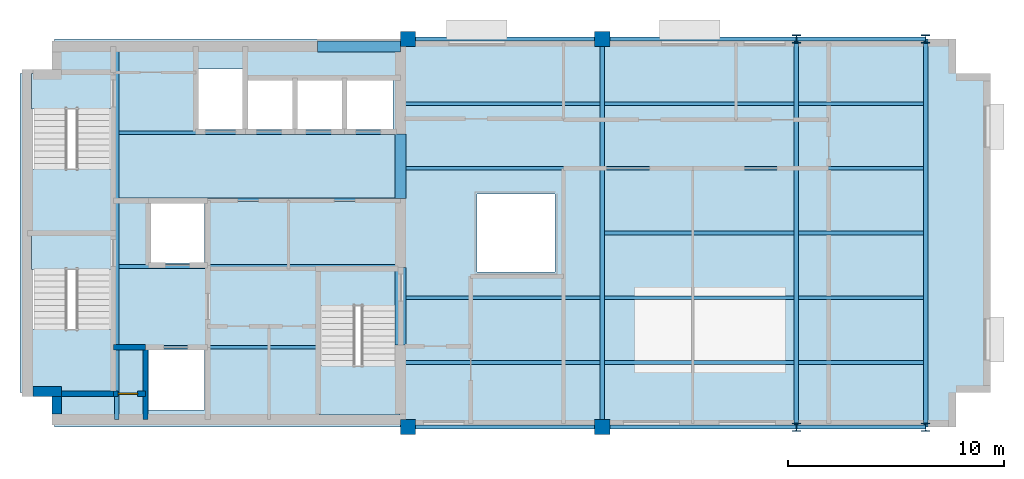
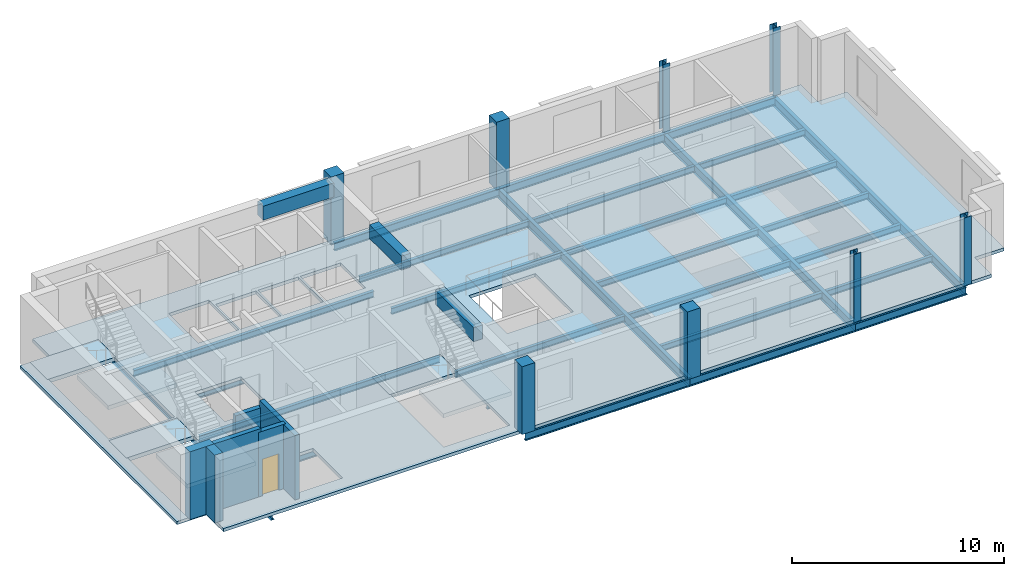
# One storey, part 1 of 5: 31 beams, 8 columns, 7 slabs, 6 walls, 1 door, 1 opening, 3 elements without a shape of their own.
"""IFC4 building model written with IfcOpenShell, lengths in metres."""

from ifc_helpers import new_model, si_unit, direction, frame, frame_2d, origin, origin_2d, place, context, subcontext, project, spatial, polyline, rectangle, i_section, outline, extrude, material, layer, layer_set, material_profile, profile_set, type_object, element, fill, aggregate, save


model = new_model("IFC4")

# Units and contexts
model_context = context("Model", 3, precision=1e-05, world=origin(), true_north=direction((0.0, 1.0)))
body_context = subcontext(model_context, "Body", "Model", "MODEL_VIEW")
ifc_project = project(units=[si_unit("LENGTHUNIT", "METRE"), si_unit("AREAUNIT", "SQUARE_METRE"), si_unit("VOLUMEUNIT", "CUBIC_METRE"), si_unit("PLANEANGLEUNIT", "RADIAN"), si_unit("MASSUNIT", "GRAM", prefix="KILO")], contexts=[model_context])

# Site, building, storey
site_placement = place(None, origin())
site = spatial("IfcSite", under=ifc_project, at=site_placement, CompositionType="ELEMENT")
building_placement = place(site_placement, origin())
building = spatial("IfcBuilding", under=site, at=building_placement, Name="Mawjdan Bourse Tower", CompositionType="ELEMENT")
storey_placement = place(building_placement, frame((0.0, 0.0, 301.5)))
storey = spatial("IfcBuildingStorey", under=building, at=storey_placement, Name="L74", CompositionType="ELEMENT", Elevation=301.5)

# Columns
ifc_material_1 = material(Name="Concrete C60/75", Category="concrete")
ifc_material_profile_1 = material_profile(ifc_material_1, rectangle(XDim=0.699951171875, YDim=0.699951171875, at=origin_2d()), Name="RC700X700")
ifc_profile_set_1 = profile_set([ifc_material_profile_1], Name="Concrete C60/75")
column_type_1 = type_object("IfcColumnType", Name="COL-RC700X700", PredefinedType="COLUMN", material=ifc_profile_set_1)
for number, where, z_axis, x_axis, name in (
    (1, (24.0, 3.0, 0.0), (0.0, 0.0, 1.0), (1.0, 0.0, 0.0), "L74 Structural Column C-X240-Y30"),
    (2, (24.0, 21.0, 0.0), (0.0, 0.0, 1.0), (1.0, 0.0, 0.0), "L74 Structural Column C-X240-Y210"),
    (3, (33.0, 3.0, 0.0), (0.0, 0.0, 1.0), (1.0, 0.0, 0.0), "L74 Structural Column C-X330-Y30"),
    (4, (33.0, 21.0, 0.0), (0.0, 0.0, 1.0), (1.0, 0.0, 0.0), "L74 Structural Column C-X330-Y210"),
):
    element("IfcColumn", number, at=place(storey_placement, frame(where, z_axis=z_axis, x_axis=x_axis)), inside=storey, type_object=column_type_1, Name=name, PredefinedType="COLUMN", context=body_context, shape_type="SweptSolid", body=[
        extrude(rectangle(XDim=0.699951171875, YDim=0.699951171875, at=origin_2d()), origin(), (0.0, 0.0, 1.0), 3.89990234375),
    ])
ifc_material_2 = material(Name="Structural Steel S355", Category="steel")
ifc_material_profile_2 = material_profile(ifc_material_2, i_section(OverallWidth=0.39404296875, OverallDepth=0.375, WebThickness=0.017333984375, FlangeThickness=0.027587890625, FilletRadius=0.022216796875, at=origin_2d()), Name="W14X145")
ifc_profile_set_2 = profile_set([ifc_material_profile_2], Name="Structural Steel S355")
column_type_2 = type_object("IfcColumnType", Name="COL-W14X145", PredefinedType="COLUMN", material=ifc_profile_set_2)
for number, where, z_axis, x_axis, name in (
    (5, (42.0, 3.0, 0.0), (0.0, 0.0, 1.0), (1.0, 0.0, 0.0), "L74 Structural Column C-X420-Y30"),
    (6, (42.0, 21.0, 0.0), (0.0, 0.0, 1.0), (1.0, 0.0, 0.0), "L74 Structural Column C-X420-Y210"),
    (7, (48.0, 3.0, 0.0), (0.0, 0.0, 1.0), (1.0, 0.0, 0.0), "L74 Structural Column C-X480-Y30"),
    (8, (48.0, 21.0, 0.0), (0.0, 0.0, 1.0), (1.0, 0.0, 0.0), "L74 Structural Column C-X480-Y210"),
):
    element("IfcColumn", number, at=place(storey_placement, frame(where, z_axis=z_axis, x_axis=x_axis)), inside=storey, type_object=column_type_2, Name=name, PredefinedType="COLUMN", context=body_context, shape_type="SweptSolid", body=[
        extrude(i_section(OverallWidth=0.39404296875, OverallDepth=0.375, WebThickness=0.017333984375, FlangeThickness=0.027587890625, FilletRadius=0.022216796875, at=origin_2d()), origin(), (0.0, 0.0, 1.0), 3.89990234375),
    ])

# Beams
ifc_material_profile_3 = material_profile(ifc_material_2, i_section(OverallWidth=0.2099609375, OverallDepth=0.537109375, WebThickness=0.010986328125, FlangeThickness=0.017333984375, FilletRadius=0.013916015625, at=origin_2d()), Name="W21X68")
ifc_profile_set_3 = profile_set([ifc_material_profile_3], Name="Structural Steel S355")
beam_type_1 = type_object("IfcBeamType", Name="GRD-W21X68", PredefinedType="BEAM", material=ifc_profile_set_3)
beam_1_placement = place(storey_placement, frame((10.47998046875, 3.35009765625, -0.45361328125), z_axis=(0.0, 1.0, 0.0), x_axis=(-1.0, 0.0, 0.0)))
element("IfcBeam", 9, at=beam_1_placement, inside=storey, type_object=beam_type_1, Name="L74 Core Stair Trimmer Girder 001", PredefinedType="BEAM", context=body_context, shape_type="SweptSolid", body=[
    extrude(i_section(OverallWidth=0.2099609375, OverallDepth=0.537109375, WebThickness=0.010986328125, FlangeThickness=0.017333984375, FilletRadius=0.013916015625, at=origin_2d()), origin(), (0.0, 0.0, 1.0), 17.2998046875),
])
for number, where, z_axis, x_axis, name in (
    (10, (33.0, 3.0, -0.45361328125), (0.0, 1.0, 0.0), (-1.0, 0.0, 0.0), "L74 East Wing Clear-Span Girder 002"),
    (11, (42.0, 3.0, -0.45361328125), (0.0, 1.0, 0.0), (-1.0, 0.0, 0.0), "L74 East Wing Clear-Span Girder 003"),
    (12, (48.0, 3.0, -0.45361328125), (0.0, 1.0, 0.0), (-1.0, 0.0, 0.0), "L74 East Wing Clear-Span Girder 004"),
):
    element("IfcBeam", number, at=place(storey_placement, frame(where, z_axis=z_axis, x_axis=x_axis)), inside=storey, type_object=beam_type_1, Name=name, PredefinedType="BEAM", context=body_context, shape_type="SweptSolid", body=[
        extrude(i_section(OverallWidth=0.2099609375, OverallDepth=0.537109375, WebThickness=0.010986328125, FlangeThickness=0.017333984375, FilletRadius=0.013916015625, at=origin_2d()), origin(), (0.0, 0.0, 1.0), 18.0),
    ])
ifc_material_profile_4 = material_profile(ifc_material_2, i_section(OverallWidth=0.1708984375, OverallDepth=0.35107421875, WebThickness=0.0068359375, FlangeThickness=0.009765625, FilletRadius=0.0078125, at=origin_2d()), Name="W14X30")
ifc_profile_set_4 = profile_set([ifc_material_profile_4], Name="Structural Steel S355")
beam_type_2 = type_object("IfcBeamType", Name="JST-W14X30", PredefinedType="JOIST", material=ifc_profile_set_4)
beam_2_placement = place(storey_placement, frame((23.64990234375, 6.0, -0.360595703125), z_axis=(1.0, 0.0, 0.0), x_axis=(0.0, 1.0, 0.0)))
element("IfcBeam", 13, at=beam_2_placement, inside=storey, type_object=beam_type_2, Name="L74 East Wing Composite Joist 011", PredefinedType="JOIST", context=body_context, shape_type="SweptSolid", body=[
    extrude(i_section(OverallWidth=0.1708984375, OverallDepth=0.35107421875, WebThickness=0.0068359375, FlangeThickness=0.009765625, FilletRadius=0.0078125, at=origin_2d()), origin(), (0.0, 0.0, 1.0), 9.2470703125),
])
beam_3_placement = place(storey_placement, frame((33.10302734375, 6.0, -0.360595703125), z_axis=(1.0, 0.0, 0.0), x_axis=(0.0, 1.0, 0.0)))
element("IfcBeam", 14, at=beam_3_placement, inside=storey, type_object=beam_type_2, Name="L74 East Wing Composite Joist 012", PredefinedType="JOIST", context=body_context, shape_type="SweptSolid", body=[
    extrude(i_section(OverallWidth=0.1708984375, OverallDepth=0.35107421875, WebThickness=0.0068359375, FlangeThickness=0.009765625, FilletRadius=0.0078125, at=origin_2d()), origin(), (0.0, 0.0, 1.0), 8.7939453125),
])
beam_4_placement = place(storey_placement, frame((42.10302734375, 6.0, -0.360595703125), z_axis=(1.0, 0.0, 0.0), x_axis=(0.0, 1.0, 0.0)))
element("IfcBeam", 15, at=beam_4_placement, inside=storey, type_object=beam_type_2, Name="L74 East Wing Composite Joist 013", PredefinedType="JOIST", context=body_context, shape_type="SweptSolid", body=[
    extrude(i_section(OverallWidth=0.1708984375, OverallDepth=0.35107421875, WebThickness=0.0068359375, FlangeThickness=0.009765625, FilletRadius=0.0078125, at=origin_2d()), origin(), (0.0, 0.0, 1.0), 5.7939453125),
])
beam_5_placement = place(storey_placement, frame((23.64990234375, 9.0, -0.360595703125), z_axis=(1.0, 0.0, 0.0), x_axis=(0.0, 1.0, 0.0)))
element("IfcBeam", 16, at=beam_5_placement, inside=storey, type_object=beam_type_2, Name="L74 East Wing Composite Joist 014", PredefinedType="JOIST", context=body_context, shape_type="SweptSolid", body=[
    extrude(i_section(OverallWidth=0.1708984375, OverallDepth=0.35107421875, WebThickness=0.0068359375, FlangeThickness=0.009765625, FilletRadius=0.0078125, at=origin_2d()), origin(), (0.0, 0.0, 1.0), 9.2470703125),
])
beam_6_placement = place(storey_placement, frame((33.10302734375, 9.0, -0.360595703125), z_axis=(1.0, 0.0, 0.0), x_axis=(0.0, 1.0, 0.0)))
element("IfcBeam", 17, at=beam_6_placement, inside=storey, type_object=beam_type_2, Name="L74 East Wing Composite Joist 015", PredefinedType="JOIST", context=body_context, shape_type="SweptSolid", body=[
    extrude(i_section(OverallWidth=0.1708984375, OverallDepth=0.35107421875, WebThickness=0.0068359375, FlangeThickness=0.009765625, FilletRadius=0.0078125, at=origin_2d()), origin(), (0.0, 0.0, 1.0), 8.7939453125),
])
beam_7_placement = place(storey_placement, frame((42.10302734375, 9.0, -0.360595703125), z_axis=(1.0, 0.0, 0.0), x_axis=(0.0, 1.0, 0.0)))
element("IfcBeam", 18, at=beam_7_placement, inside=storey, type_object=beam_type_2, Name="L74 East Wing Composite Joist 016", PredefinedType="JOIST", context=body_context, shape_type="SweptSolid", body=[
    extrude(i_section(OverallWidth=0.1708984375, OverallDepth=0.35107421875, WebThickness=0.0068359375, FlangeThickness=0.009765625, FilletRadius=0.0078125, at=origin_2d()), origin(), (0.0, 0.0, 1.0), 5.7939453125),
])
beam_8_placement = place(storey_placement, frame((33.10302734375, 12.0, -0.360595703125), z_axis=(1.0, 0.0, 0.0), x_axis=(0.0, 1.0, 0.0)))
element("IfcBeam", 19, at=beam_8_placement, inside=storey, type_object=beam_type_2, Name="L74 East Wing Composite Joist 017", PredefinedType="JOIST", context=body_context, shape_type="SweptSolid", body=[
    extrude(i_section(OverallWidth=0.1708984375, OverallDepth=0.35107421875, WebThickness=0.0068359375, FlangeThickness=0.009765625, FilletRadius=0.0078125, at=origin_2d()), origin(), (0.0, 0.0, 1.0), 8.7939453125),
])
beam_9_placement = place(storey_placement, frame((42.10302734375, 12.0, -0.360595703125), z_axis=(1.0, 0.0, 0.0), x_axis=(0.0, 1.0, 0.0)))
element("IfcBeam", 20, at=beam_9_placement, inside=storey, type_object=beam_type_2, Name="L74 East Wing Composite Joist 018", PredefinedType="JOIST", context=body_context, shape_type="SweptSolid", body=[
    extrude(i_section(OverallWidth=0.1708984375, OverallDepth=0.35107421875, WebThickness=0.0068359375, FlangeThickness=0.009765625, FilletRadius=0.0078125, at=origin_2d()), origin(), (0.0, 0.0, 1.0), 5.7939453125),
])
beam_10_placement = place(storey_placement, frame((23.64990234375, 15.0, -0.360595703125), z_axis=(1.0, 0.0, 0.0), x_axis=(0.0, 1.0, 0.0)))
element("IfcBeam", 21, at=beam_10_placement, inside=storey, type_object=beam_type_2, Name="L74 East Wing Composite Joist 019", PredefinedType="JOIST", context=body_context, shape_type="SweptSolid", body=[
    extrude(i_section(OverallWidth=0.1708984375, OverallDepth=0.35107421875, WebThickness=0.0068359375, FlangeThickness=0.009765625, FilletRadius=0.0078125, at=origin_2d()), origin(), (0.0, 0.0, 1.0), 9.2470703125),
])
beam_11_placement = place(storey_placement, frame((33.10302734375, 15.0, -0.360595703125), z_axis=(1.0, 0.0, 0.0), x_axis=(0.0, 1.0, 0.0)))
element("IfcBeam", 22, at=beam_11_placement, inside=storey, type_object=beam_type_2, Name="L74 East Wing Composite Joist 020", PredefinedType="JOIST", context=body_context, shape_type="SweptSolid", body=[
    extrude(i_section(OverallWidth=0.1708984375, OverallDepth=0.35107421875, WebThickness=0.0068359375, FlangeThickness=0.009765625, FilletRadius=0.0078125, at=origin_2d()), origin(), (0.0, 0.0, 1.0), 8.7939453125),
])
beam_12_placement = place(storey_placement, frame((42.10302734375, 15.0, -0.360595703125), z_axis=(1.0, 0.0, 0.0), x_axis=(0.0, 1.0, 0.0)))
element("IfcBeam", 23, at=beam_12_placement, inside=storey, type_object=beam_type_2, Name="L74 East Wing Composite Joist 021", PredefinedType="JOIST", context=body_context, shape_type="SweptSolid", body=[
    extrude(i_section(OverallWidth=0.1708984375, OverallDepth=0.35107421875, WebThickness=0.0068359375, FlangeThickness=0.009765625, FilletRadius=0.0078125, at=origin_2d()), origin(), (0.0, 0.0, 1.0), 5.7939453125),
])
beam_13_placement = place(storey_placement, frame((23.64990234375, 18.0, -0.360595703125), z_axis=(1.0, 0.0, 0.0), x_axis=(0.0, 1.0, 0.0)))
element("IfcBeam", 24, at=beam_13_placement, inside=storey, type_object=beam_type_2, Name="L74 East Wing Composite Joist 022", PredefinedType="JOIST", context=body_context, shape_type="SweptSolid", body=[
    extrude(i_section(OverallWidth=0.1708984375, OverallDepth=0.35107421875, WebThickness=0.0068359375, FlangeThickness=0.009765625, FilletRadius=0.0078125, at=origin_2d()), origin(), (0.0, 0.0, 1.0), 9.2470703125),
])
beam_14_placement = place(storey_placement, frame((33.10302734375, 18.0, -0.360595703125), z_axis=(1.0, 0.0, 0.0), x_axis=(0.0, 1.0, 0.0)))
element("IfcBeam", 25, at=beam_14_placement, inside=storey, type_object=beam_type_2, Name="L74 East Wing Composite Joist 023", PredefinedType="JOIST", context=body_context, shape_type="SweptSolid", body=[
    extrude(i_section(OverallWidth=0.1708984375, OverallDepth=0.35107421875, WebThickness=0.0068359375, FlangeThickness=0.009765625, FilletRadius=0.0078125, at=origin_2d()), origin(), (0.0, 0.0, 1.0), 8.7939453125),
])
beam_15_placement = place(storey_placement, frame((42.10302734375, 18.0, -0.360595703125), z_axis=(1.0, 0.0, 0.0), x_axis=(0.0, 1.0, 0.0)))
element("IfcBeam", 26, at=beam_15_placement, inside=storey, type_object=beam_type_2, Name="L74 East Wing Composite Joist 024", PredefinedType="JOIST", context=body_context, shape_type="SweptSolid", body=[
    extrude(i_section(OverallWidth=0.1708984375, OverallDepth=0.35107421875, WebThickness=0.0068359375, FlangeThickness=0.009765625, FilletRadius=0.0078125, at=origin_2d()), origin(), (0.0, 0.0, 1.0), 5.7939453125),
])
beam_16_placement = place(storey_placement, frame((10.5830078125, 6.699951171875, -0.360595703125), z_axis=(1.0, 0.0, 0.0), x_axis=(0.0, 1.0, 0.0)))
element("IfcBeam", 27, at=beam_16_placement, inside=storey, type_object=beam_type_2, Name="L74 Core Floor Joist 025", PredefinedType="JOIST", context=body_context, shape_type="SweptSolid", body=[
    extrude(i_section(OverallWidth=0.1708984375, OverallDepth=0.35107421875, WebThickness=0.0068359375, FlangeThickness=0.009765625, FilletRadius=0.0078125, at=origin_2d()), origin(), (0.0, 0.0, 1.0), 9.2470703125),
])
for number, where, z_axis, x_axis, name in (
    (28, (10.5830078125, 10.449951171875, -0.360595703125), (1.0, 0.0, 0.0), (0.0, 1.0, 0.0), "L74 Core Floor Joist 026"),
    (29, (10.5830078125, 13.550048828125, -0.360595703125), (1.0, 0.0, 0.0), (0.0, 1.0, 0.0), "L74 Core Floor Joist 027"),
    (30, (10.5830078125, 16.64990234375, -0.360595703125), (1.0, 0.0, 0.0), (0.0, 1.0, 0.0), "L74 Core Floor Joist 028"),
):
    element("IfcBeam", number, at=place(storey_placement, frame(where, z_axis=z_axis, x_axis=x_axis)), inside=storey, type_object=beam_type_2, Name=name, PredefinedType="JOIST", context=body_context, shape_type="SweptSolid", body=[
        extrude(i_section(OverallWidth=0.1708984375, OverallDepth=0.35107421875, WebThickness=0.0068359375, FlangeThickness=0.009765625, FilletRadius=0.0078125, at=origin_2d()), origin(), (0.0, 0.0, 1.0), 13.06689453125),
    ])
ifc_material_3 = material(Name="Concrete C70/85", Category="concrete")
ifc_material_profile_5 = material_profile(ifc_material_3, rectangle(XDim=0.5, YDim=0.800048828125, at=origin_2d()), Name="RCB500X800")
ifc_profile_set_5 = profile_set([ifc_material_profile_5], Name="Concrete C70/85")
beam_type_3 = type_object("IfcBeamType", Name="LNT-RCB500X800", PredefinedType="LINTEL", material=ifc_profile_set_5)
beam_17_placement = place(storey_placement, frame((23.64990234375, 6.800048828125, 3.31494140625), z_axis=(0.0, 1.0, 0.0), x_axis=(-1.0, 0.0, 0.0)))
element("IfcBeam", 31, at=beam_17_placement, inside=storey, type_object=beam_type_3, Name="L74 Coupled Core Lintel CB-E1", PredefinedType="LINTEL", context=body_context, shape_type="SweptSolid", body=[
    extrude(rectangle(XDim=0.5, YDim=0.800048828125, at=origin_2d()), origin(), (0.0, 0.0, 1.0), 3.599853515625),
])
beam_18_placement = place(storey_placement, frame((23.64990234375, 13.60009765625, 3.31494140625), z_axis=(0.0, 1.0, 0.0), x_axis=(-1.0, 0.0, 0.0)))
element("IfcBeam", 32, at=beam_18_placement, inside=storey, type_object=beam_type_3, Name="L74 Coupled Core Lintel CB-E2", PredefinedType="LINTEL", context=body_context, shape_type="SweptSolid", body=[
    extrude(rectangle(XDim=0.5, YDim=0.800048828125, at=origin_2d()), origin(), (0.0, 0.0, 1.0), 3.0),
])
beam_19_placement = place(storey_placement, frame((19.800048828125, 20.64990234375, 3.31494140625), z_axis=(1.0, 0.0, 0.0), x_axis=(0.0, 1.0, 0.0)))
element("IfcBeam", 33, at=beam_19_placement, inside=storey, type_object=beam_type_3, Name="L74 Coupled Core Lintel CB-N1", PredefinedType="LINTEL", context=body_context, shape_type="SweptSolid", body=[
    extrude(rectangle(XDim=0.5, YDim=0.800048828125, at=origin_2d()), origin(), (0.0, 0.0, 1.0), 3.849853515625),
])
ifc_material_profile_6 = material_profile(ifc_material_2, i_section(OverallWidth=0.18994140625, OverallDepth=0.45703125, WebThickness=0.009033203125, FlangeThickness=0.014404296875, FilletRadius=0.01171875, at=origin_2d()), Name="W18X50")
ifc_profile_set_6 = profile_set([ifc_material_profile_6], Name="Structural Steel S355")
beam_type_4 = type_object("IfcBeamType", Name="SPN-W18X50", PredefinedType="SPANDREL", material=ifc_profile_set_6)
for number, where, z_axis, x_axis, name in (
    (34, (24.0, 3.0, -0.41357421875), (1.0, 0.0, 0.0), (0.0, 1.0, 0.0), "L74 Perimeter Masonry-Shelf Spandrel 005"),
    (35, (33.0, 3.0, -0.41357421875), (1.0, 0.0, 0.0), (0.0, 1.0, 0.0), "L74 Perimeter Masonry-Shelf Spandrel 006"),
):
    element("IfcBeam", number, at=place(storey_placement, frame(where, z_axis=z_axis, x_axis=x_axis)), inside=storey, type_object=beam_type_4, Name=name, PredefinedType="SPANDREL", context=body_context, shape_type="SweptSolid", body=[
        extrude(i_section(OverallWidth=0.18994140625, OverallDepth=0.45703125, WebThickness=0.009033203125, FlangeThickness=0.014404296875, FilletRadius=0.01171875, at=origin_2d()), origin(), (0.0, 0.0, 1.0), 9.0),
    ])
beam_20_placement = place(storey_placement, frame((42.0, 3.0, -0.41357421875), z_axis=(1.0, 0.0, 0.0), x_axis=(0.0, 1.0, 0.0)))
element("IfcBeam", 36, at=beam_20_placement, inside=storey, type_object=beam_type_4, Name="L74 Perimeter Masonry-Shelf Spandrel 007", PredefinedType="SPANDREL", context=body_context, shape_type="SweptSolid", body=[
    extrude(i_section(OverallWidth=0.18994140625, OverallDepth=0.45703125, WebThickness=0.009033203125, FlangeThickness=0.014404296875, FilletRadius=0.01171875, at=origin_2d()), origin(), (0.0, 0.0, 1.0), 6.0),
])
for number, where, z_axis, x_axis, name in (
    (37, (24.0, 21.0, -0.41357421875), (1.0, 0.0, 0.0), (0.0, 1.0, 0.0), "L74 Perimeter Masonry-Shelf Spandrel 008"),
    (38, (33.0, 21.0, -0.41357421875), (1.0, 0.0, 0.0), (0.0, 1.0, 0.0), "L74 Perimeter Masonry-Shelf Spandrel 009"),
):
    element("IfcBeam", number, at=place(storey_placement, frame(where, z_axis=z_axis, x_axis=x_axis)), inside=storey, type_object=beam_type_4, Name=name, PredefinedType="SPANDREL", context=body_context, shape_type="SweptSolid", body=[
        extrude(i_section(OverallWidth=0.18994140625, OverallDepth=0.45703125, WebThickness=0.009033203125, FlangeThickness=0.014404296875, FilletRadius=0.01171875, at=origin_2d()), origin(), (0.0, 0.0, 1.0), 9.0),
    ])
beam_21_placement = place(storey_placement, frame((42.0, 21.0, -0.41357421875), z_axis=(1.0, 0.0, 0.0), x_axis=(0.0, 1.0, 0.0)))
element("IfcBeam", 39, at=beam_21_placement, inside=storey, type_object=beam_type_4, Name="L74 Perimeter Masonry-Shelf Spandrel 010", PredefinedType="SPANDREL", context=body_context, shape_type="SweptSolid", body=[
    extrude(i_section(OverallWidth=0.18994140625, OverallDepth=0.45703125, WebThickness=0.009033203125, FlangeThickness=0.014404296875, FilletRadius=0.01171875, at=origin_2d()), origin(), (0.0, 0.0, 1.0), 6.0),
])

# Stair, slabs
ifc_material_4 = material(Name="Concrete C50/60", Category="concrete")
stair_type = type_object("IfcStairType", Name="STR-CORE-1500", PredefinedType="HALF_TURN_STAIR", material=ifc_material_4)
stair_1_placement = place(storey_placement, origin())
stair_1 = element("IfcStair", 40, at=stair_1_placement, inside=storey, type_object=stair_type, Name="L74 Exit Stair 1 (Core South-West)", PredefinedType="HALF_TURN_STAIR")
ifc_layer_1 = layer(ifc_material_4, 0.22998046875)
ifc_layer_set_1 = layer_set([ifc_layer_1], Name="Concrete C50/60")
slab_type_1 = type_object("IfcSlabType", Name="SL-LND-230", PredefinedType="LANDING", material=ifc_layer_set_1)
slab_1_placement = place(storey_placement, frame((0.0, 0.0, -0.22998046875)))
slab_1 = element("IfcSlab", 41, at=slab_1_placement, type_object=slab_type_1, Name="ST1-L74 landing 1", PredefinedType="LANDING", context=body_context, shape_type="SweptSolid", body=[
    extrude(outline(polyline([(6.5400390625, 10.31005859375), (10.260009765625, 10.31005859375), (10.260009765625, 11.969970703125), (6.5400390625, 11.969970703125), (6.5400390625, 10.31005859375)])), origin(), (0.0, 0.0, 1.0), 0.22998046875),
])
slab_2_placement = place(storey_placement, frame((0.0, 0.0, 1.719970703125)))
slab_2 = element("IfcSlab", 42, at=slab_2_placement, type_object=slab_type_1, Name="ST1-L74 landing 2", PredefinedType="LANDING", context=body_context, shape_type="SweptSolid", body=[
    extrude(outline(polyline([(6.5400390625, 4.590087890625), (10.260009765625, 4.590087890625), (10.260009765625, 7.5400390625), (6.5400390625, 7.5400390625), (6.5400390625, 4.590087890625)])), origin(), (0.0, 0.0, 1.0), 0.22998046875),
])
aggregate(stair_1, [slab_1, slab_2])

stair_2_placement = place(storey_placement, origin())
stair_2 = element("IfcStair", 43, at=stair_2_placement, inside=storey, type_object=stair_type, Name="L74 Exit Stair 2 (Core North-West)", PredefinedType="HALF_TURN_STAIR")
slab_3_placement = place(storey_placement, frame((0.0, 0.0, -0.22998046875)))
slab_3 = element("IfcSlab", 44, at=slab_3_placement, type_object=slab_type_1, Name="ST2-L74 landing 1", PredefinedType="LANDING", context=body_context, shape_type="SweptSolid", body=[
    extrude(outline(polyline([(6.5400390625, 17.75), (10.260009765625, 17.75), (10.260009765625, 19.409912109375), (6.5400390625, 19.409912109375), (6.5400390625, 17.75)])), origin(), (0.0, 0.0, 1.0), 0.22998046875),
])
slab_4_placement = place(storey_placement, frame((0.0, 0.0, 1.719970703125)))
slab_4 = element("IfcSlab", 45, at=slab_4_placement, type_object=slab_type_1, Name="ST2-L74 landing 2", PredefinedType="LANDING", context=body_context, shape_type="SweptSolid", body=[
    extrude(outline(polyline([(6.5400390625, 12.030029296875), (10.260009765625, 12.030029296875), (10.260009765625, 14.97998046875), (6.5400390625, 14.97998046875), (6.5400390625, 12.030029296875)])), origin(), (0.0, 0.0, 1.0), 0.22998046875),
])
aggregate(stair_2, [slab_3, slab_4])

stair_3_placement = place(storey_placement, origin())
stair_3 = element("IfcStair", 46, at=stair_3_placement, inside=storey, type_object=stair_type, Name="L74 Exit Stair 7 (Core South-East)", PredefinedType="HALF_TURN_STAIR")
slab_5_placement = place(storey_placement, frame((0.0, 0.0, -0.22998046875)))
slab_5 = element("IfcSlab", 47, at=slab_5_placement, type_object=slab_type_1, Name="ST7-L74 landing 1", PredefinedType="LANDING", context=body_context, shape_type="SweptSolid", body=[
    extrude(outline(polyline([(19.889892578125, 8.6201171875), (23.610107421875, 8.6201171875), (23.610107421875, 10.280029296875), (19.889892578125, 10.280029296875), (19.889892578125, 8.6201171875)])), origin(), (0.0, 0.0, 1.0), 0.22998046875),
])
slab_6_placement = place(storey_placement, frame((0.0, 0.0, 1.719970703125)))
slab_6 = element("IfcSlab", 48, at=slab_6_placement, type_object=slab_type_1, Name="ST7-L74 landing 2", PredefinedType="LANDING", context=body_context, shape_type="SweptSolid", body=[
    extrude(outline(polyline([(19.889892578125, 3.56005859375), (23.610107421875, 3.56005859375), (23.610107421875, 5.85009765625), (19.889892578125, 5.85009765625), (19.889892578125, 3.56005859375)])), origin(), (0.0, 0.0, 1.0), 0.22998046875),
])
aggregate(stair_3, [slab_5, slab_6])

# Slab
ifc_layer_2 = layer(ifc_material_4, 0.18505859375)
ifc_layer_set_2 = layer_set([ifc_layer_2], Name="Concrete C50/60")
slab_type_2 = type_object("IfcSlabType", Name="SL-SMT-185", PredefinedType="FLOOR", material=ifc_layer_set_2)
slab_7_placement = place(storey_placement, frame((0.0, 0.0, -0.18505859375)))
element("IfcSlab", 49, at=slab_7_placement, inside=storey, type_object=slab_type_2, Name="L74 Structural Floor Slab 1", PredefinedType="FLOOR", context=body_context, shape_type="SweptSolid", body=[
    extrude(outline(polyline([(7.60009765625, 3.0), (49.39990234375, 3.0), (49.39990234375, 4.60009765625), (51.0, 4.60009765625), (51.0, 19.39990234375), (49.39990234375, 19.39990234375), (49.39990234375, 21.0), (7.60009765625, 21.0), (7.60009765625, 19.39990234375), (6.0, 19.39990234375), (6.0, 4.60009765625), (7.60009765625, 4.60009765625), (7.60009765625, 3.0)]), holes=[polyline([(14.550048828125, 3.800048828125), (11.949951171875, 3.800048828125), (11.949951171875, 6.60009765625), (14.550048828125, 6.60009765625), (14.550048828125, 3.800048828125)]), polyline([(10.260009765625, 11.969970703125), (10.260009765625, 10.31005859375), (10.199951171875, 10.31005859375), (10.199951171875, 4.64990234375), (6.60009765625, 4.64990234375), (6.60009765625, 10.31005859375), (6.5400390625, 10.31005859375), (6.5400390625, 11.969970703125), (10.260009765625, 11.969970703125)]), polyline([(14.550048828125, 10.60009765625), (12.050048828125, 10.60009765625), (12.050048828125, 13.39990234375), (14.550048828125, 13.39990234375), (14.550048828125, 10.60009765625)]), polyline([(6.60009765625, 12.090087890625), (6.60009765625, 17.75), (6.5400390625, 17.75), (6.5400390625, 19.3798828125), (7.60009765625, 19.3798828125), (7.60205078125, 19.380126953125), (7.60400390625, 19.38037109375), (7.605712890625, 19.380859375), (7.607666015625, 19.381591796875), (7.609375, 19.38232421875), (7.611083984375, 19.38330078125), (7.61279296875, 19.384521484375), (7.614013671875, 19.385986328125), (7.615478515625, 19.38720703125), (7.61669921875, 19.388916015625), (7.61767578125, 19.390625), (7.618408203125, 19.392333984375), (7.619140625, 19.394287109375), (7.61962890625, 19.39599609375), (7.619873046875, 19.39794921875), (7.6201171875, 19.39990234375), (7.6201171875, 19.409912109375), (10.260009765625, 19.409912109375), (10.260009765625, 17.75), (10.199951171875, 17.75), (10.199951171875, 12.090087890625), (6.60009765625, 12.090087890625)]), polyline([(14.199951171875, 16.800048828125), (14.199951171875, 19.60009765625), (16.39990234375, 19.60009765625), (16.39990234375, 16.800048828125), (14.199951171875, 16.800048828125)]), polyline([(23.610107421875, 10.280029296875), (23.610107421875, 8.6201171875), (23.550048828125, 8.6201171875), (23.550048828125, 3.6201171875), (19.949951171875, 3.6201171875), (19.949951171875, 8.6201171875), (19.889892578125, 8.6201171875), (19.889892578125, 10.280029296875), (23.610107421875, 10.280029296875)]), polyline([(27.199951171875, 10.199951171875), (27.199951171875, 13.800048828125), (30.800048828125, 13.800048828125), (30.800048828125, 10.199951171875), (27.199951171875, 10.199951171875)]), polyline([(16.5, 16.800048828125), (16.5, 19.14990234375), (18.699951171875, 19.14990234375), (18.699951171875, 16.800048828125), (16.5, 16.800048828125)]), polyline([(18.800048828125, 16.800048828125), (18.800048828125, 19.14990234375), (21.0, 19.14990234375), (21.0, 16.800048828125), (18.800048828125, 16.800048828125)]), polyline([(21.10009765625, 16.800048828125), (21.10009765625, 19.14990234375), (23.300048828125, 19.14990234375), (23.300048828125, 16.800048828125), (21.10009765625, 16.800048828125)])]), origin(), (0.0, 0.0, 1.0), 0.18505859375),
])

# Walls
ifc_layer_3 = layer(ifc_material_1, 0.449951171875)
ifc_layer_set_3 = layer_set([ifc_layer_3], Name="Concrete C60/75")
wall_type_1 = type_object("IfcWallType", Name="WL-CORE-450", PredefinedType="SHEAR", material=ifc_layer_set_3)
wall_1_placement = place(storey_placement, frame((6.60009765625, 4.64990234375, 0.0), z_axis=(0.0, 0.0, 1.0), x_axis=(1.0, 0.0, 0.0)))
element("IfcWall", 50, at=wall_1_placement, inside=storey, type_object=wall_type_1, Name="L74 Rear Core Shear Wall SW-X", PredefinedType="SHEAR", context=body_context, shape_type="SweptSolid", body=[
    extrude(rectangle(XDim=1.324951171875, YDim=0.449951171875, at=frame_2d((0.66259765625, 0.0))), origin(), (0.0, 0.0, 1.0), 3.89990234375),
])
wall_2_placement = place(storey_placement, frame((7.699951171875, 3.60009765625, 0.0), z_axis=(0.0, 0.0, 1.0), x_axis=(0.0, 1.0, 0.0)))
element("IfcWall", 51, at=wall_2_placement, inside=storey, type_object=wall_type_1, Name="L74 Rear Core Shear Wall SW-Y", PredefinedType="SHEAR", context=body_context, shape_type="SweptSolid", body=[
    extrude(rectangle(XDim=0.824951171875, YDim=0.449951171875, at=frame_2d((0.41259765625, 0.0))), origin(), (0.0, 0.0, 1.0), 3.89990234375),
])

# Wall, opening, door
ifc_layer_4 = layer(ifc_material_4, 0.25)
ifc_layer_set_4 = layer_set([ifc_layer_4], Name="Concrete C50/60")
wall_type_2 = type_object("IfcWallType", Name="WL-SHFT-250", PredefinedType="PARTITIONING", material=ifc_layer_set_4)
wall_3_placement = place(storey_placement, frame((10.330078125, 4.550048828125, 0.0), z_axis=(0.0, 0.0, 1.0), x_axis=(1.0, 0.0, 0.0)))
wall_3 = element("IfcWall", 52, at=wall_3_placement, inside=storey, type_object=wall_type_2, Name="L74 SW Riser North Wall", PredefinedType="PARTITIONING", context=body_context, shape_type="SweptSolid", body=[
    extrude(rectangle(XDim=1.489990234375, YDim=0.25, at=frame_2d((0.7451171875, 0.0))), origin(), (0.0, 0.0, 1.0), 3.705078125),
])
opening_placement = place(wall_3_placement, frame((0.219970703125, 0.0, 0.0)))
opening = element("IfcOpeningElement", 53, at=opening_placement, cuts=wall_3, Name="Opening RD-L74-03", PredefinedType="OPENING", context=body_context, shape_type="SweptSolid", body=[
    extrude(rectangle(XDim=0.89990234375, YDim=2.10009765625, at=frame_2d((0.449951171875, 1.050048828125))), frame((0.0, 0.135009765625, 0.0), z_axis=(0.0, -1.0, 0.0), x_axis=(1.0, 0.0, 0.0)), (0.0, 0.0, 1.0), 0.27001953125),
])
ifc_material_5 = material(Name="Fire-Rated Steel Access Leaf", Category="steel")
door_type = type_object("IfcDoorType", Name="FD-RSR-0900", OperationType="NOTDEFINED", PredefinedType="TRAPDOOR", material=ifc_material_5)
door_placement = place(opening_placement, origin())
door = element("IfcDoor", 54, at=door_placement, inside=storey, type_object=door_type, Name="L74 Electrical Riser Access Door RD-L74-03", OperationType="SINGLE_SWING_LEFT", OverallHeight=2.10009765625, OverallWidth=0.89990234375, PredefinedType="TRAPDOOR", context=body_context, shape_type="SweptSolid", body=[
    extrude(rectangle(XDim=0.89990234375, YDim=2.10009765625, at=frame_2d((0.449951171875, 1.050048828125))), frame((0.0, 0.02490234375, 0.0), z_axis=(0.0, -1.0, 0.0), x_axis=(1.0, 0.0, 0.0)), (0.0, 0.0, 1.0), 0.050048828125),
])
fill(opening, door)

# Walls
wall_4_placement = place(storey_placement, frame((11.820068359375, 3.35009765625, 0.0), z_axis=(0.0, 0.0, 1.0), x_axis=(0.0, 1.0, 0.0)))
element("IfcWall", 55, at=wall_4_placement, inside=storey, type_object=wall_type_2, Name="L74 SW Riser & FFL01 West Wall", PredefinedType="PARTITIONING", context=body_context, shape_type="SweptSolid", body=[
    extrude(rectangle(XDim=3.349853515625, YDim=0.25, at=frame_2d((1.6748046875, 0.0))), origin(), (0.0, 0.0, 1.0), 3.705078125),
])
wall_5_placement = place(storey_placement, frame((10.330078125, 6.699951171875, 0.0), z_axis=(0.0, 0.0, 1.0), x_axis=(1.0, 0.0, 0.0)))
element("IfcWall", 56, at=wall_5_placement, inside=storey, type_object=wall_type_2, Name="L74 Firefighting Lobby South Closure Wall", PredefinedType="PARTITIONING", context=body_context, shape_type="SweptSolid", body=[
    extrude(rectangle(XDim=1.489990234375, YDim=0.25, at=frame_2d((0.7451171875, 0.0))), origin(), (0.0, 0.0, 1.0), 3.35400390625),
])
ifc_layer_5 = layer(ifc_material_4, 0.25)
ifc_layer_set_5 = layer_set([ifc_layer_5], Name="Concrete C50/60")
wall_type_3 = type_object("IfcWallType", Name="WL-STRW-250", PredefinedType="SHEAR", material=ifc_layer_set_5)
wall_6_placement = place(storey_placement, frame((7.699951171875, 4.550048828125, 0.0), z_axis=(0.0, 0.0, 1.0), x_axis=(1.0, 0.0, 0.0)))
element("IfcWall", 57, at=wall_6_placement, inside=storey, type_object=wall_type_3, Name="L74 Stairwell ST1 South Shaft Wall", PredefinedType="SHEAR", context=body_context, shape_type="SweptSolid", body=[
    extrude(rectangle(XDim=2.755126953125, YDim=0.25, at=frame_2d((1.37744140625, 0.0))), origin(), (0.0, 0.0, 1.0), 3.89990234375),
])

save(model, "model.ifc")
